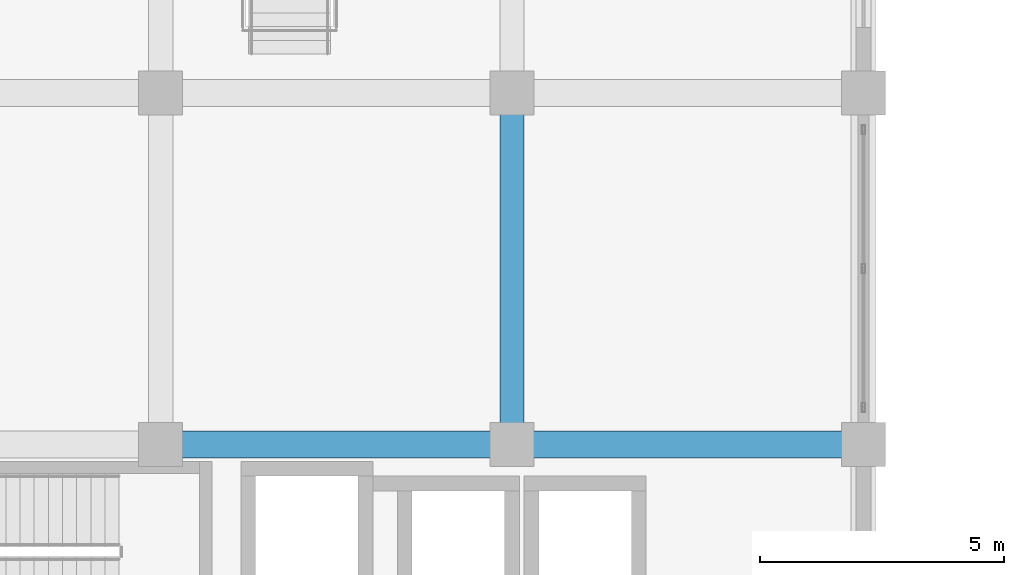
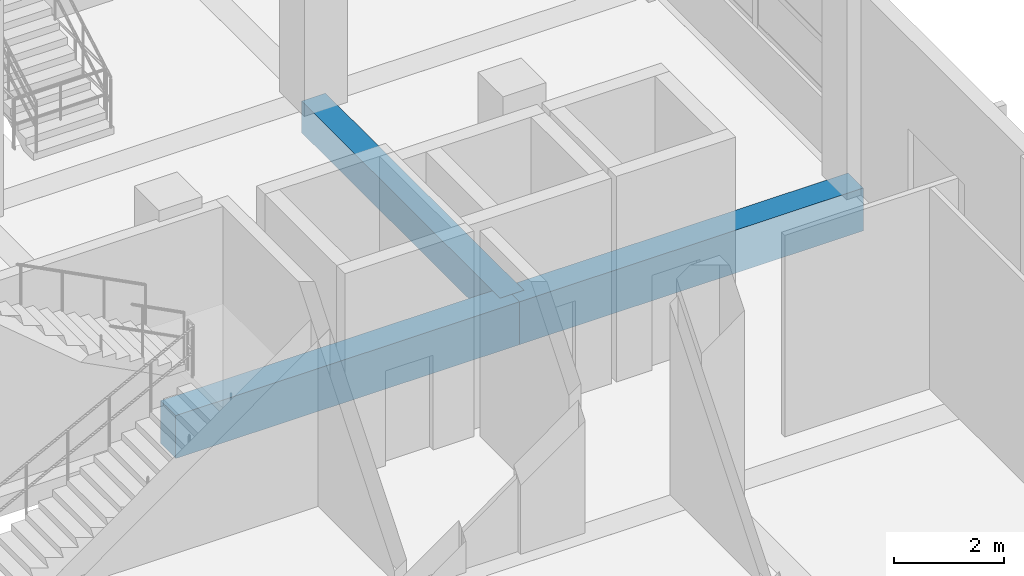
# One storey, part 52 of 181: 3 beams.
"""IFC4 building model written with IfcOpenShell, lengths in metres."""

from ifc_helpers import new_model, si_unit, direction, frame, origin, origin_2d, place, context, subcontext, project, spatial, rectangle, extrude, material, material_profile, profile_set, type_object, element, save


model = new_model("IFC4")

# Units and contexts
model_context = context("Model", 3, precision=1e-05, world=origin(), true_north=direction((0.0, 1.0)))
body_context = subcontext(model_context, "Body", "Model", "MODEL_VIEW")
ifc_project = project(units=[si_unit("LENGTHUNIT", "METRE"), si_unit("AREAUNIT", "SQUARE_METRE"), si_unit("VOLUMEUNIT", "CUBIC_METRE"), si_unit("PLANEANGLEUNIT", "RADIAN"), si_unit("MASSUNIT", "GRAM", prefix="KILO")], contexts=[model_context])

# Site, building, storey
site_placement = place(None, origin())
site = spatial("IfcSite", under=ifc_project, at=site_placement, CompositionType="ELEMENT")
building_placement = place(site_placement, origin())
building = spatial("IfcBuilding", under=site, at=building_placement, Name="Seraya Terrace Polytechnic", CompositionType="ELEMENT")
storey_placement = place(building_placement, frame((0.0, 0.0, 4.800048828125)))
storey = spatial("IfcBuildingStorey", under=building, at=storey_placement, Name="L01", CompositionType="ELEMENT", Elevation=4.800048828125)

# Beams
ifc_material = material(Name="Concrete C40/50", Category="concrete")
ifc_material_profile_1 = material_profile(ifc_material, rectangle(XDim=0.550048828125, YDim=0.949951171875, at=origin_2d()), Name="RC 550x950")
ifc_profile_set_1 = profile_set([ifc_material_profile_1], Name="Concrete C40/50")
beam_type_1 = type_object("IfcBeamType", Name="BM-03", PredefinedType="BEAM", material=ifc_profile_set_1)
for number, where, z_axis, x_axis, name in (
    (1, (93.60009765625, 43.199951171875, -0.47509765625), (1.0, 0.0, 0.0), (0.0, 1.0, 0.0), "Beam BM-03 L01 X (93.6..100.8, 43.2)"),
    (2, (100.800048828125, 43.199951171875, -0.47509765625), (1.0, 0.0, 0.0), (0.0, 1.0, 0.0), "Beam BM-03 L01 X (100.8..108.0, 43.2)"),
):
    element("IfcBeam", number, at=place(storey_placement, frame(where, z_axis=z_axis, x_axis=x_axis)), inside=storey, type_object=beam_type_1, Name=name, PredefinedType="BEAM", context=body_context, shape_type="SweptSolid", body=[
        extrude(rectangle(XDim=0.550048828125, YDim=0.949951171875, at=origin_2d()), origin(), (0.0, 0.0, 1.0), 7.199951171875),
    ])
ifc_material_profile_2 = material_profile(ifc_material, rectangle(XDim=0.5, YDim=0.699951171875, at=origin_2d()), Name="RC 500x700")
ifc_profile_set_2 = profile_set([ifc_material_profile_2], Name="Concrete C40/50")
beam_type_2 = type_object("IfcBeamType", Name="BM-07", PredefinedType="BEAM", material=ifc_profile_set_2)
beam_placement = place(storey_placement, frame((100.800048828125, 43.199951171875, -0.35009765625), z_axis=(0.0, 1.0, 0.0), x_axis=(-1.0, 0.0, 0.0)))
element("IfcBeam", 3, at=beam_placement, inside=storey, type_object=beam_type_2, Name="Beam BM-07 L01 Y (100.8, 43.2..50.4)", PredefinedType="BEAM", context=body_context, shape_type="SweptSolid", body=[
    extrude(rectangle(XDim=0.5, YDim=0.699951171875, at=origin_2d()), origin(), (0.0, 0.0, 1.0), 7.199951171875),
])

save(model, "model.ifc")
